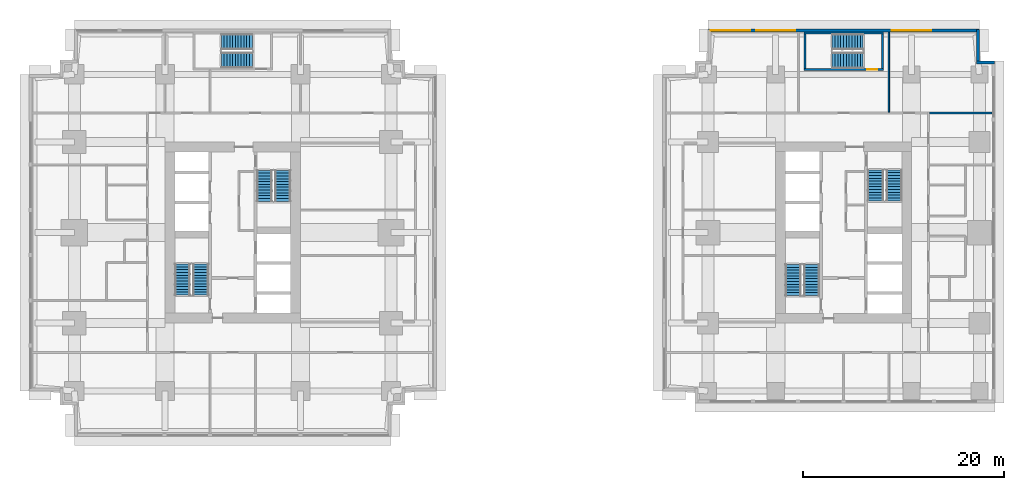
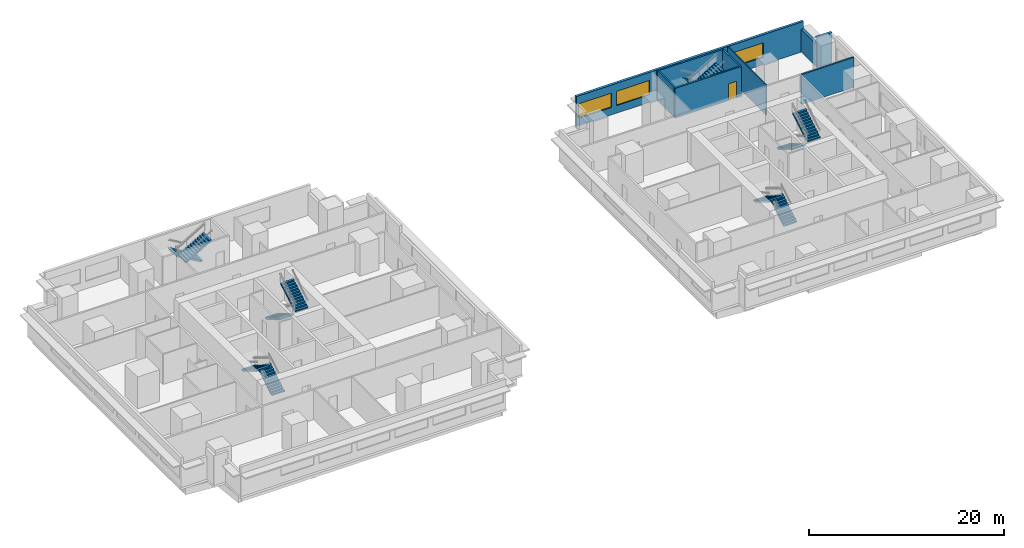
# One storey, part 8 of 11: 12 stair flights, 9 walls, 3 windows, 1 door, 4 openings, 6 elements without a shape of their own.
"""IFC4 building model written with IfcOpenShell, lengths in metres."""

import ifcopenshell
import ifcopenshell.guid

model = None  # the IFC model being written
_history = None  # IfcOwnerHistory: only IFC2X3 demands one
_inside = {}  # id of a spatial element -> (the spatial element, [elements in it])
_under = {}  # id of a project, library or spatial element -> (it, [spatial elements below it])
_declared = {}  # id of a project -> (the project, [libraries it declares])
_typed = {}  # id of a type object -> (the type object, [elements of that type])
_made_of = {}  # id of a material, layer set ... -> (it, [elements and type objects made of it])


def new_model(schema):
    """Start an empty IFC model of exactly this schema.

    Asked for "IFC4X3", IfcOpenShell would pick the latest addendum, in which some entities
    have other attributes; the version numbers below select the first issue.
    IFC2X3 requires an IfcOwnerHistory on every rooted entity: one is made here for all.
    """
    global model, _history
    if schema == "IFC4X3":
        model = ifcopenshell.file(schema_version=(4, 3, 0, 0))
    else:
        model = ifcopenshell.file(schema=schema)
    _inside.clear()
    _under.clear()
    _declared.clear()
    _typed.clear()
    _made_of.clear()
    _history = None
    if model.schema == "IFC2X3":
        org = make("IfcOrganization", Name="unknown")
        user = make(
            "IfcPersonAndOrganization",
            ThePerson=make("IfcPerson", FamilyName="unknown"),
            TheOrganization=org,
        )
        app = make(
            "IfcApplication",
            ApplicationDeveloper=org,
            Version="unknown",
            ApplicationFullName="unknown",
            ApplicationIdentifier="unknown",
        )
        _history = make(
            "IfcOwnerHistory",
            OwningUser=user,
            OwningApplication=app,
            ChangeAction="ADDED",
            CreationDate=0,
        )
    return model


def make(cls, **values):
    """One entity of the class cls with the attributes given. An attribute that is None is left unset."""
    return model.create_entity(
        cls, **{name: value for name, value in values.items() if value is not None}
    )


def rooted(cls, **values):
    """An entity with a GlobalId (a new one), such as an element, a storey or a relation."""
    return make(cls, GlobalId=ifcopenshell.guid.new(), OwnerHistory=_history, **values)


def si_unit(unit_type, name, prefix=None):
    """IfcSIUnit, for example si_unit("LENGTHUNIT", "METRE", prefix="MILLI")."""
    return make("IfcSIUnit", UnitType=unit_type, Prefix=prefix, Name=name)


def assignment(units):
    """IfcUnitAssignment: the units of a project."""
    return None if units is None else make("IfcUnitAssignment", Units=units)


def point(xyz):
    """IfcCartesianPoint."""
    return None if xyz is None else make("IfcCartesianPoint", Coordinates=xyz)


def direction(xyz):
    """IfcDirection."""
    return None if xyz is None else make("IfcDirection", DirectionRatios=xyz)


def frame(location, z_axis=None, x_axis=None):
    """IfcAxis2Placement3D, a coordinate frame: its origin and axes. An axis left out is left unset."""
    return make(
        "IfcAxis2Placement3D",
        Location=point(location),
        Axis=direction(z_axis),
        RefDirection=direction(x_axis),
    )


def frame_2d(location, x_axis=None):
    """IfcAxis2Placement2D, a coordinate frame in the plane: its origin and x axis."""
    return make(
        "IfcAxis2Placement2D", Location=point(location), RefDirection=direction(x_axis)
    )


def origin():
    """The frame at (0, 0, 0) with its axes left unset."""
    return frame((0.0, 0.0, 0.0))


def place(relative_to, where):
    """IfcLocalPlacement: puts the frame where relative to a parent placement (None: the world)."""
    return make(
        "IfcLocalPlacement", PlacementRelTo=relative_to, RelativePlacement=where
    )


def context(
    kind, dimensions, precision=None, world=None, true_north=None, identifier=None
):
    """IfcGeometricRepresentationContext, for example the 3D "Model" context."""
    return make(
        "IfcGeometricRepresentationContext",
        ContextIdentifier=identifier,
        ContextType=kind,
        CoordinateSpaceDimension=dimensions,
        Precision=precision,
        WorldCoordinateSystem=world,
        TrueNorth=true_north,
    )


def subcontext(parent, identifier, kind, view, scale=None):
    """IfcGeometricRepresentationSubContext, for example "Body" below "Model"."""
    return make(
        "IfcGeometricRepresentationSubContext",
        ContextIdentifier=identifier,
        ContextType=kind,
        ParentContext=parent,
        TargetScale=scale,
        TargetView=view,
    )


def project(units=None, contexts=None):
    """IfcProject with its units and contexts."""
    return rooted(
        "IfcProject",
        Name="project",
        RepresentationContexts=contexts,
        UnitsInContext=assignment(units),
    )


def spatial(cls, under=None, at=None, **own):
    """A site, building, storey or space (cls), placed at a placement, below another one or the project."""
    s = rooted(cls, ObjectPlacement=at, **own)
    if under is not None:
        _under.setdefault(under.id(), (under, []))[1].append(s)
    return s


def polyline(points):
    """IfcPolyline through the points."""
    return make("IfcPolyline", Points=[point(p) for p in points])


def profile(cls, at=None, kind="AREA", **sizes):
    """A parametric profile (cls). Its sizes go by their IFC names, for example OverallWidth=200.0."""
    return make(cls, ProfileType=kind, Position=at, **sizes)


def rectangle(**sizes):
    """IfcRectangleProfileDef."""
    return profile("IfcRectangleProfileDef", **sizes)


def outline(outer, holes=None, kind="AREA"):
    """IfcArbitraryClosedProfileDef: a profile drawn as a closed curve; with holes, ...WithVoids."""
    if holes is None:
        return make("IfcArbitraryClosedProfileDef", ProfileType=kind, OuterCurve=outer)
    return make(
        "IfcArbitraryProfileDefWithVoids",
        ProfileType=kind,
        OuterCurve=outer,
        InnerCurves=holes,
    )


def extrude(swept, where, along, depth):
    """IfcExtrudedAreaSolid: the profile swept, set in the frame where, extruded along a direction by depth."""
    return make(
        "IfcExtrudedAreaSolid",
        SweptArea=swept,
        Position=where,
        ExtrudedDirection=direction(along),
        Depth=depth,
    )


def shape(context_of_items, identifier, shape_type, items):
    """IfcShapeRepresentation: the items that make up one representation, for example the "Body"."""
    return make(
        "IfcShapeRepresentation",
        ContextOfItems=context_of_items,
        RepresentationIdentifier=identifier,
        RepresentationType=shape_type,
        Items=items,
    )


def material(Name=None, Category=None):
    """IfcMaterial."""
    return make("IfcMaterial", Name=Name, Category=Category)


def layer(
    of_material, thickness, ventilated=None, Name=None, Category=None, Priority=None
):
    """IfcMaterialLayer: one layer of a wall or slab, of a material (None: an air gap)."""
    return make(
        "IfcMaterialLayer",
        Material=of_material,
        LayerThickness=thickness,
        IsVentilated=ventilated,
        Name=Name,
        Category=Category,
        Priority=Priority,
    )


def layer_set(layers, Name=None):
    """IfcMaterialLayerSet."""
    return make("IfcMaterialLayerSet", MaterialLayers=layers, LayerSetName=Name)


def made_of(thing, what):
    """Note that an element or type object is made of a material, layer set ...; save() writes the relation."""
    if what is not None:
        _made_of.setdefault(what.id(), (what, []))[1].append(thing)
    return thing


def type_object(cls, material=None, **own):
    """A type object (cls), such as IfcWallType, which elements share."""
    return made_of(rooted(cls, **own), material)


def element(
    cls,
    number,
    at=None,
    inside=None,
    cuts=None,
    type_object=None,
    material=None,
    context=None,
    identifier="Body",
    shape_type=None,
    held_by="IfcProductDefinitionShape",
    body=None,
    shapes=None,
    **own,
):
    """One element of the class cls, such as IfcWall. Its Tag is "e" and its number.

    at: its placement. inside: the storey or other place that contains it. cuts: it is an
    opening in that element (IfcRelVoidsElement). A single representation is given by context,
    identifier, shape_type and body (its items); several are given by shapes. held_by: the class
    of the entity that holds the representations. save() writes the other relations.
    """
    e = rooted(cls, Tag="e%d" % number, ObjectPlacement=at, **own)
    if body is not None:
        shapes = [shape(context, identifier, shape_type, body)]
    if shapes is not None:
        e.Representation = make(held_by, Representations=shapes)
    if inside is not None:
        _inside.setdefault(inside.id(), (inside, []))[1].append(e)
    if cuts is not None:
        rooted(
            "IfcRelVoidsElement", RelatingBuildingElement=cuts, RelatedOpeningElement=e
        )
    if type_object is not None:
        _typed.setdefault(type_object.id(), (type_object, []))[1].append(e)
    return made_of(e, material)


def fill(opening, filler):
    """IfcRelFillsElement: the door or window that sits in an opening."""
    return rooted(
        "IfcRelFillsElement",
        RelatingOpeningElement=opening,
        RelatedBuildingElement=filler,
    )


def aggregate(whole, parts):
    """IfcRelAggregates: a whole, such as a stair, and the parts it consists of."""
    return rooted("IfcRelAggregates", RelatingObject=whole, RelatedObjects=parts)


def save(model, path):
    """Write the relations noted so far, then the file.

    IfcRelAggregates (storeys below a building ...), IfcRelContainedInSpatialStructure (elements
    in a storey), IfcRelDefinesByType, IfcRelAssociatesMaterial and IfcRelDeclares: one each for
    every whole, place, type object, material and project.
    """
    for whole, parts in _under.values():
        aggregate(whole, parts)
    for where, things in _inside.values():
        rooted(
            "IfcRelContainedInSpatialStructure",
            RelatedElements=things,
            RelatingStructure=where,
        )
    for kind, things in _typed.values():
        rooted("IfcRelDefinesByType", RelatedObjects=things, RelatingType=kind)
    for what, things in _made_of.values():
        rooted("IfcRelAssociatesMaterial", RelatedObjects=things, RelatingMaterial=what)
    for by, libraries in _declared.values():
        rooted("IfcRelDeclares", RelatingContext=by, RelatedDefinitions=libraries)
    model.write(path)


model = new_model("IFC4")

# Units and contexts
model_context = context("Model", 3, precision=1e-05, world=origin(), true_north=direction((0.0, 1.0)))
body_context = subcontext(model_context, "Body", "Model", "MODEL_VIEW")
ifc_project = project(units=[si_unit("LENGTHUNIT", "METRE"), si_unit("AREAUNIT", "SQUARE_METRE"), si_unit("VOLUMEUNIT", "CUBIC_METRE"), si_unit("PLANEANGLEUNIT", "RADIAN"), si_unit("MASSUNIT", "GRAM", prefix="KILO")], contexts=[model_context])

# Site, building, storey
site_placement = place(None, origin())
site = spatial("IfcSite", under=ifc_project, at=site_placement, CompositionType="ELEMENT")
building_placement = place(site_placement, origin())
building = spatial("IfcBuilding", under=site, at=building_placement, Name="Namib Vertical Campus", CompositionType="ELEMENT")
storey_placement = place(building_placement, frame((0.0, 0.0, 101.0)))
storey = spatial("IfcBuildingStorey", under=building, at=storey_placement, Name="L23", CompositionType="ELEMENT", Elevation=101.0)

# Walls
ifc_material_1 = material(Name="Concrete masonry", Category="masonry")
ifc_layer_1 = layer(ifc_material_1, 0.199951171875)
ifc_layer_set_1 = layer_set([ifc_layer_1], Name="Corridor wall 200")
wall_type_1 = type_object("IfcWallType", Name="Corridor wall 200", PredefinedType="SOLIDWALL", material=ifc_layer_set_1)
wall_1_placement = place(storey_placement, frame((89.550048828125, 32.14990234375, 0.0), z_axis=(0.0, 0.0, 1.0), x_axis=(1.0, 0.0, 0.0)))
element("IfcWall", 1, at=wall_1_placement, inside=storey, type_object=wall_type_1, Name="Partition B L23 BNE", PredefinedType="SOLIDWALL", context=body_context, shape_type="SweptSolid", body=[
    extrude(rectangle(XDim=6.199951171875, YDim=0.199951171875, at=frame_2d((3.10009765625, 0.0))), origin(), (0.0, 0.0, 1.0), 3.75),
])
ifc_material_2 = material(Name="Concrete C40/50", Category="concrete")
ifc_layer_2 = layer(ifc_material_2, 0.300048828125)
ifc_layer_set_2 = layer_set([ifc_layer_2], Name="Concrete C40/50")
wall_type_2 = type_object("IfcWallType", Name="External wall 300 board-marked concrete", PredefinedType="STANDARD", material=ifc_layer_set_2)
wall_2_placement = place(storey_placement, frame((96.030029296875, 37.14990234375, 0.0), z_axis=(0.0, 0.0, 1.0), x_axis=(-1.0, 0.0, 0.0)))
element("IfcWall", 2, at=wall_2_placement, inside=storey, type_object=wall_type_2, Name="External wall L23 F05", PredefinedType="STANDARD", context=body_context, shape_type="SweptSolid", body=[
    extrude(rectangle(XDim=1.81005859375, YDim=0.300048828125, at=frame_2d((0.905029296875, 0.0))), origin(), (0.0, 0.0, 1.0), 3.75),
])
wall_3_placement = place(storey_placement, frame((94.35009765625, 37.02001953125, 0.0), z_axis=(0.0, 0.0, 1.0), x_axis=(0.0, 1.0, 0.0)))
element("IfcWall", 3, at=wall_3_placement, inside=storey, type_object=wall_type_2, Name="External wall L23 F06", PredefinedType="STANDARD", context=body_context, shape_type="SweptSolid", body=[
    extrude(rectangle(XDim=3.4599609375, YDim=0.300048828125, at=frame_2d((1.72998046875, 0.0))), origin(), (0.0, 0.0, 1.0), 2.85009765625),
])

# Wall, openings, windows
wall_4_placement = place(storey_placement, frame((94.47998046875, 40.35009765625, 0.0), z_axis=(0.0, 0.0, 1.0), x_axis=(-1.0, 0.0, 0.0)))
wall_4 = element("IfcWall", 4, at=wall_4_placement, inside=storey, type_object=wall_type_2, Name="External wall L23 F07", PredefinedType="STANDARD", context=body_context, shape_type="SweptSolid", body=[
    extrude(rectangle(XDim=26.9599609375, YDim=0.300048828125, at=frame_2d((13.47998046875, 0.0))), origin(), (0.0, 0.0, 1.0), 3.75),
])
opening_1_placement = place(wall_4_placement, frame((22.780029296875, 0.0, 0.949951171875)))
opening_1 = element("IfcOpeningElement", 5, at=opening_1_placement, cuts=wall_4, Name="Opening W3", PredefinedType="OPENING", context=body_context, shape_type="SweptSolid", body=[
    extrude(rectangle(XDim=3.89990234375, YDim=1.800048828125, at=frame_2d((1.949951171875, 0.89990234375))), frame((0.0, 0.159912109375, 0.0), z_axis=(0.0, -1.0, 0.0), x_axis=(1.0, 0.0, 0.0)), (0.0, 0.0, 1.0), 0.320068359375),
])
opening_2_placement = place(wall_4_placement, frame((18.280029296875, 0.0, 0.949951171875)))
opening_2 = element("IfcOpeningElement", 6, at=opening_2_placement, cuts=wall_4, Name="Opening W3", PredefinedType="OPENING", context=body_context, shape_type="SweptSolid", body=[
    extrude(rectangle(XDim=3.89990234375, YDim=1.800048828125, at=frame_2d((1.949951171875, 0.89990234375))), frame((0.0, 0.159912109375, 0.0), z_axis=(0.0, -1.0, 0.0), x_axis=(1.0, 0.0, 0.0)), (0.0, 0.0, 1.0), 0.320068359375),
])
opening_3_placement = place(wall_4_placement, frame((4.780029296875, 0.0, 0.949951171875)))
opening_3 = element("IfcOpeningElement", 7, at=opening_3_placement, cuts=wall_4, Name="Opening W3", PredefinedType="OPENING", context=body_context, shape_type="SweptSolid", body=[
    extrude(rectangle(XDim=3.89990234375, YDim=1.800048828125, at=frame_2d((1.949951171875, 0.89990234375))), frame((0.0, 0.159912109375, 0.0), z_axis=(0.0, -1.0, 0.0), x_axis=(1.0, 0.0, 0.0)), (0.0, 0.0, 1.0), 0.320068359375),
])
ifc_material_3 = material(Name="Dark tinted glass in black aluminium frame", Category="aluminium")
window_type = type_object("IfcWindowType", Name="Ribbon window 3900x1800", PartitioningType="SINGLE_PANEL", PredefinedType="WINDOW", material=ifc_material_3)
window_1_placement = place(opening_1_placement, origin())
window_1 = element("IfcWindow", 8, at=window_1_placement, inside=storey, type_object=window_type, Name="Window W3 L23 F07-1", OverallHeight=1.800048828125, OverallWidth=3.89990234375, PartitioningType="SINGLE_PANEL", PredefinedType="WINDOW", context=body_context, shape_type="SweptSolid", body=[
    extrude(rectangle(XDim=3.89990234375, YDim=1.800048828125, at=frame_2d((1.949951171875, 0.89990234375))), frame((0.0, 0.030029296875, 0.0), z_axis=(0.0, -1.0, 0.0), x_axis=(1.0, 0.0, 0.0)), (0.0, 0.0, 1.0), 0.06005859375),
])
fill(opening_1, window_1)
window_2_placement = place(opening_2_placement, origin())
window_2 = element("IfcWindow", 9, at=window_2_placement, inside=storey, type_object=window_type, Name="Window W3 L23 F07-2", OverallHeight=1.800048828125, OverallWidth=3.89990234375, PartitioningType="SINGLE_PANEL", PredefinedType="WINDOW", context=body_context, shape_type="SweptSolid", body=[
    extrude(rectangle(XDim=3.89990234375, YDim=1.800048828125, at=frame_2d((1.949951171875, 0.89990234375))), frame((0.0, 0.030029296875, 0.0), z_axis=(0.0, -1.0, 0.0), x_axis=(1.0, 0.0, 0.0)), (0.0, 0.0, 1.0), 0.06005859375),
])
fill(opening_2, window_2)
window_3_placement = place(opening_3_placement, origin())
window_3 = element("IfcWindow", 10, at=window_3_placement, inside=storey, type_object=window_type, Name="Window W3 L23 F07-5", OverallHeight=1.800048828125, OverallWidth=3.89990234375, PartitioningType="SINGLE_PANEL", PredefinedType="WINDOW", context=body_context, shape_type="SweptSolid", body=[
    extrude(rectangle(XDim=3.89990234375, YDim=1.800048828125, at=frame_2d((1.949951171875, 0.89990234375))), frame((0.0, 0.030029296875, 0.0), z_axis=(0.0, -1.0, 0.0), x_axis=(1.0, 0.0, 0.0)), (0.0, 0.0, 1.0), 0.06005859375),
])
fill(opening_3, window_3)

# Wall
ifc_material_4 = material(Name="Gypsum board on steel studs", Category="steel")
ifc_layer_3 = layer(ifc_material_4, 0.14990234375)
ifc_layer_set_3 = layer_set([ifc_layer_3], Name="Gypsum board on steel studs")
wall_type_3 = type_object("IfcWallType", Name="Partition 150", PredefinedType="PARTITIONING", material=ifc_layer_set_3)
wall_5_placement = place(storey_placement, frame((85.5, 32.25, 0.0), z_axis=(0.0, 0.0, 1.0), x_axis=(0.0, 1.0, 0.0)))
element("IfcWall", 11, at=wall_5_placement, inside=storey, type_object=wall_type_3, Name="Partition B L23 PN2", PredefinedType="PARTITIONING", context=body_context, shape_type="SweptSolid", body=[
    extrude(rectangle(XDim=7.949951171875, YDim=0.14990234375, at=frame_2d((3.97509765625, 0.0))), origin(), (0.0, 0.0, 1.0), 3.75),
])

# Wall, opening, door
ifc_material_5 = material(Name="Concrete C40/50", Category="concrete")
ifc_layer_4 = layer(ifc_material_5, 0.199951171875)
ifc_layer_set_4 = layer_set([ifc_layer_4], Name="Concrete C40/50")
wall_type_4 = type_object("IfcWallType", Name="Stair enclosure wall RC 200", PredefinedType="SOLIDWALL", material=ifc_layer_set_4)
wall_6_placement = place(storey_placement, frame((77.050048828125, 36.5, 0.0), z_axis=(0.0, 0.0, 1.0), x_axis=(1.0, 0.0, 0.0)))
wall_6 = element("IfcWall", 12, at=wall_6_placement, inside=storey, type_object=wall_type_4, Name="Stair enclosure wall B-S3 L23 S", PredefinedType="SOLIDWALL", context=body_context, shape_type="SweptSolid", body=[
    extrude(rectangle(XDim=7.89990234375, YDim=0.199951171875, at=frame_2d((3.949951171875, 0.0))), origin(), (0.0, 0.0, 1.0), 3.75),
])
opening_4_placement = place(wall_6_placement, frame((6.300048828125, 0.0, 0.0)))
opening_4 = element("IfcOpeningElement", 13, at=opening_4_placement, cuts=wall_6, Name="Opening FD1", PredefinedType="OPENING", context=body_context, shape_type="SweptSolid", body=[
    extrude(rectangle(XDim=1.0, YDim=2.10009765625, at=frame_2d((0.5, 1.050048828125))), frame((0.0, 0.10986328125, 0.0), z_axis=(0.0, -1.0, 0.0), x_axis=(1.0, 0.0, 0.0)), (0.0, 0.0, 1.0), 0.219970703125),
])
ifc_material_6 = material(Name="Steel fire door", Category="steel")
door_type = type_object("IfcDoorType", Name="Fire door 1000x2100", OperationType="SINGLE_SWING_RIGHT", PredefinedType="DOOR", material=ifc_material_6)
door_placement = place(opening_4_placement, origin())
door = element("IfcDoor", 14, at=door_placement, inside=storey, type_object=door_type, Name="Stair door FD1 B L23 S3", OperationType="SINGLE_SWING_RIGHT", OverallHeight=2.10009765625, OverallWidth=1.0, PredefinedType="DOOR", context=body_context, shape_type="SweptSolid", body=[
    extrude(rectangle(XDim=1.0, YDim=2.10009765625, at=frame_2d((0.5, 1.050048828125))), frame((0.0, 0.02490234375, 0.0), z_axis=(0.0, -1.0, 0.0), x_axis=(1.0, 0.0, 0.0)), (0.0, 0.0, 1.0), 0.050048828125),
])
fill(opening_4, door)

# Walls
wall_7_placement = place(storey_placement, frame((77.050048828125, 40.10009765625, 0.0), z_axis=(0.0, 0.0, 1.0), x_axis=(1.0, 0.0, 0.0)))
element("IfcWall", 15, at=wall_7_placement, inside=storey, type_object=wall_type_4, Name="Stair enclosure wall B-S3 L23 N", PredefinedType="SOLIDWALL", context=body_context, shape_type="SweptSolid", body=[
    extrude(rectangle(XDim=7.89990234375, YDim=0.199951171875, at=frame_2d((3.949951171875, 0.0))), origin(), (0.0, 0.0, 1.0), 3.75),
])
for number, where, z_axis, x_axis, name in (
    (16, (77.14990234375, 36.60009765625, 0.0), (0.0, 0.0, 1.0), (0.0, 1.0, 0.0), "Stair enclosure wall B-S3 L23 W"),
    (17, (84.85009765625, 36.60009765625, 0.0), (0.0, 0.0, 1.0), (0.0, 1.0, 0.0), "Stair enclosure wall B-S3 L23 E"),
):
    element("IfcWall", number, at=place(storey_placement, frame(where, z_axis=z_axis, x_axis=x_axis)), inside=storey, type_object=wall_type_4, Name=name, PredefinedType="SOLIDWALL", context=body_context, shape_type="SweptSolid", body=[
        extrude(rectangle(XDim=3.39990234375, YDim=0.199951171875, at=frame_2d((1.699951171875, 0.0))), origin(), (0.0, 0.0, 1.0), 3.75),
    ])

# Stair, stair flights
ifc_material_7 = material(Name="Concrete C40/50 precast", Category="concrete")
stair_type_1 = type_object("IfcStairType", Name="Exit stair 4000 rise 24 risers 3350 wide", PredefinedType="HALF_TURN_STAIR", material=ifc_material_7)
stair_1_placement = place(storey_placement, origin())
stair_1 = element("IfcStair", 18, at=stair_1_placement, inside=storey, type_object=stair_type_1, Name="Exit stair A-S1 L23", PredefinedType="HALF_TURN_STAIR")
ifc_material_8 = material(Name="Concrete C40/50 precast", Category="concrete")
stair_flight_type_1 = type_object("IfcStairFlightType", Name="Stair flight 12 risers 167 1525 wide", PredefinedType="STRAIGHT", material=ifc_material_8)
stair_flight_1_placement = place(storey_placement, frame((17.08740234375, 14.050048828125, 0.0), z_axis=(0.0, 0.0, 1.0), x_axis=(0.0, 1.0, 0.0)))
stair_flight_1 = element("IfcStairFlight", 19, at=stair_flight_1_placement, type_object=stair_flight_type_1, Name="A-S1 flight 1", NumberOfRisers=12, NumberOfTreads=11, PredefinedType="STRAIGHT", RiserHeight=0.166666667, TreadLength=0.28, context=body_context, shape_type="SweptSolid", body=[
    extrude(outline(polyline([(0.0, 0.0), (0.0, 0.166748046875), (0.280029296875, 0.166748046875), (0.280029296875, 0.333251953125), (0.56005859375, 0.333251953125), (0.56005859375, 0.5), (0.840087890625, 0.5), (0.840087890625, 0.666748046875), (1.1201171875, 0.666748046875), (1.1201171875, 0.833251953125), (1.39990234375, 0.833251953125), (1.39990234375, 1.0), (1.679931640625, 1.0), (1.679931640625, 1.166748046875), (1.9599609375, 1.166748046875), (1.9599609375, 1.333251953125), (2.239990234375, 1.333251953125), (2.239990234375, 1.5), (2.52001953125, 1.5), (2.52001953125, 1.666748046875), (2.800048828125, 1.666748046875), (2.800048828125, 1.833251953125), (3.080078125, 1.833251953125), (3.080078125, 2.0), (3.080078125, 1.658935546875), (0.29296875, 0.0), (0.0, 0.0)])), frame((0.0, 0.762451171875, 0.0), z_axis=(0.0, -1.0, 0.0), x_axis=(1.0, 0.0, 0.0)), (0.0, 0.0, 1.0), 1.52490234375),
])
stair_flight_2_placement = place(storey_placement, frame((15.262451171875, 17.1298828125, 2.0), z_axis=(0.0, 0.0, 1.0), x_axis=(0.0, -1.0, 0.0)))
stair_flight_2 = element("IfcStairFlight", 20, at=stair_flight_2_placement, type_object=stair_flight_type_1, Name="A-S1 flight 2", NumberOfRisers=12, NumberOfTreads=11, PredefinedType="STRAIGHT", RiserHeight=0.166666667, TreadLength=0.28, context=body_context, shape_type="SweptSolid", body=[
    extrude(outline(polyline([(0.0, 0.0), (0.0, 0.166748046875), (0.280029296875, 0.166748046875), (0.280029296875, 0.333251953125), (0.56005859375, 0.333251953125), (0.56005859375, 0.5), (0.840087890625, 0.5), (0.840087890625, 0.666748046875), (1.1201171875, 0.666748046875), (1.1201171875, 0.833251953125), (1.39990234375, 0.833251953125), (1.39990234375, 1.0), (1.679931640625, 1.0), (1.679931640625, 1.166748046875), (1.9599609375, 1.166748046875), (1.9599609375, 1.333251953125), (2.239990234375, 1.333251953125), (2.239990234375, 1.5), (2.52001953125, 1.5), (2.52001953125, 1.666748046875), (2.800048828125, 1.666748046875), (2.800048828125, 1.833251953125), (3.080078125, 1.833251953125), (3.080078125, 2.0), (3.080078125, 1.658935546875), (0.29296875, 0.0), (0.0, 0.0)])), frame((0.0, 0.762451171875, 0.0), z_axis=(0.0, -1.0, 0.0), x_axis=(1.0, 0.0, 0.0)), (0.0, 0.0, 1.0), 1.52490234375),
])
aggregate(stair_1, [stair_flight_1, stair_flight_2])

stair_2_placement = place(storey_placement, origin())
stair_2 = element("IfcStair", 21, at=stair_2_placement, inside=storey, type_object=stair_type_1, Name="Exit stair A-S2 L23", PredefinedType="HALF_TURN_STAIR")
stair_flight_3_placement = place(storey_placement, frame((23.41259765625, 26.449951171875, 0.0), z_axis=(0.0, 0.0, 1.0), x_axis=(0.0, -1.0, 0.0)))
stair_flight_3 = element("IfcStairFlight", 22, at=stair_flight_3_placement, type_object=stair_flight_type_1, Name="A-S2 flight 1", NumberOfRisers=12, NumberOfTreads=11, PredefinedType="STRAIGHT", RiserHeight=0.166666667, TreadLength=0.28, context=body_context, shape_type="SweptSolid", body=[
    extrude(outline(polyline([(0.0, 0.0), (0.0, 0.166748046875), (0.280029296875, 0.166748046875), (0.280029296875, 0.333251953125), (0.56005859375, 0.333251953125), (0.56005859375, 0.5), (0.840087890625, 0.5), (0.840087890625, 0.666748046875), (1.1201171875, 0.666748046875), (1.1201171875, 0.833251953125), (1.39990234375, 0.833251953125), (1.39990234375, 1.0), (1.679931640625, 1.0), (1.679931640625, 1.166748046875), (1.9599609375, 1.166748046875), (1.9599609375, 1.333251953125), (2.239990234375, 1.333251953125), (2.239990234375, 1.5), (2.52001953125, 1.5), (2.52001953125, 1.666748046875), (2.800048828125, 1.666748046875), (2.800048828125, 1.833251953125), (3.080078125, 1.833251953125), (3.080078125, 2.0), (3.080078125, 1.658935546875), (0.29296875, 0.0), (0.0, 0.0)])), frame((0.0, 0.762451171875, 0.0), z_axis=(0.0, -1.0, 0.0), x_axis=(1.0, 0.0, 0.0)), (0.0, 0.0, 1.0), 1.52490234375),
])
stair_flight_4_placement = place(storey_placement, frame((25.237548828125, 23.3701171875, 2.0), z_axis=(0.0, 0.0, 1.0), x_axis=(0.0, 1.0, 0.0)))
stair_flight_4 = element("IfcStairFlight", 23, at=stair_flight_4_placement, type_object=stair_flight_type_1, Name="A-S2 flight 2", NumberOfRisers=12, NumberOfTreads=11, PredefinedType="STRAIGHT", RiserHeight=0.166666667, TreadLength=0.28, context=body_context, shape_type="SweptSolid", body=[
    extrude(outline(polyline([(0.0, 0.0), (0.0, 0.166748046875), (0.280029296875, 0.166748046875), (0.280029296875, 0.333251953125), (0.56005859375, 0.333251953125), (0.56005859375, 0.5), (0.840087890625, 0.5), (0.840087890625, 0.666748046875), (1.1201171875, 0.666748046875), (1.1201171875, 0.833251953125), (1.39990234375, 0.833251953125), (1.39990234375, 1.0), (1.679931640625, 1.0), (1.679931640625, 1.166748046875), (1.9599609375, 1.166748046875), (1.9599609375, 1.333251953125), (2.239990234375, 1.333251953125), (2.239990234375, 1.5), (2.52001953125, 1.5), (2.52001953125, 1.666748046875), (2.800048828125, 1.666748046875), (2.800048828125, 1.833251953125), (3.080078125, 1.833251953125), (3.080078125, 2.0), (3.080078125, 1.658935546875), (0.29296875, 0.0), (0.0, 0.0)])), frame((0.0, 0.762451171875, 0.0), z_axis=(0.0, -1.0, 0.0), x_axis=(1.0, 0.0, 0.0)), (0.0, 0.0, 1.0), 1.52490234375),
])
aggregate(stair_2, [stair_flight_3, stair_flight_4])

stair_3_placement = place(storey_placement, origin())
stair_3 = element("IfcStair", 24, at=stair_3_placement, inside=storey, type_object=stair_type_1, Name="Exit stair A-S3 L23", PredefinedType="HALF_TURN_STAIR")
stair_flight_5_placement = place(storey_placement, frame((22.199951171875, 39.237548828125, 0.0), z_axis=(0.0, 0.0, 1.0), x_axis=(-1.0, 0.0, 0.0)))
stair_flight_5 = element("IfcStairFlight", 25, at=stair_flight_5_placement, type_object=stair_flight_type_1, Name="A-S3 flight 1", NumberOfRisers=12, NumberOfTreads=11, PredefinedType="STRAIGHT", RiserHeight=0.166666667, TreadLength=0.28, context=body_context, shape_type="SweptSolid", body=[
    extrude(outline(polyline([(0.0, 0.0), (0.0, 0.166748046875), (0.280029296875, 0.166748046875), (0.280029296875, 0.333251953125), (0.56005859375, 0.333251953125), (0.56005859375, 0.5), (0.840087890625, 0.5), (0.840087890625, 0.666748046875), (1.1201171875, 0.666748046875), (1.1201171875, 0.833251953125), (1.39990234375, 0.833251953125), (1.39990234375, 1.0), (1.679931640625, 1.0), (1.679931640625, 1.166748046875), (1.9599609375, 1.166748046875), (1.9599609375, 1.333251953125), (2.239990234375, 1.333251953125), (2.239990234375, 1.5), (2.52001953125, 1.5), (2.52001953125, 1.666748046875), (2.800048828125, 1.666748046875), (2.800048828125, 1.833251953125), (3.080078125, 1.833251953125), (3.080078125, 2.0), (3.080078125, 1.658935546875), (0.29296875, 0.0), (0.0, 0.0)])), frame((0.0, 0.762451171875, 0.0), z_axis=(0.0, -1.0, 0.0), x_axis=(1.0, 0.0, 0.0)), (0.0, 0.0, 1.0), 1.52490234375),
])
stair_flight_6_placement = place(storey_placement, frame((19.1201171875, 37.41259765625, 2.0), z_axis=(0.0, 0.0, 1.0), x_axis=(1.0, 0.0, 0.0)))
stair_flight_6 = element("IfcStairFlight", 26, at=stair_flight_6_placement, type_object=stair_flight_type_1, Name="A-S3 flight 2", NumberOfRisers=12, NumberOfTreads=11, PredefinedType="STRAIGHT", RiserHeight=0.166666667, TreadLength=0.28, context=body_context, shape_type="SweptSolid", body=[
    extrude(outline(polyline([(0.0, 0.0), (0.0, 0.166748046875), (0.280029296875, 0.166748046875), (0.280029296875, 0.333251953125), (0.56005859375, 0.333251953125), (0.56005859375, 0.5), (0.840087890625, 0.5), (0.840087890625, 0.666748046875), (1.1201171875, 0.666748046875), (1.1201171875, 0.833251953125), (1.39990234375, 0.833251953125), (1.39990234375, 1.0), (1.679931640625, 1.0), (1.679931640625, 1.166748046875), (1.9599609375, 1.166748046875), (1.9599609375, 1.333251953125), (2.239990234375, 1.333251953125), (2.239990234375, 1.5), (2.52001953125, 1.5), (2.52001953125, 1.666748046875), (2.800048828125, 1.666748046875), (2.800048828125, 1.833251953125), (3.080078125, 1.833251953125), (3.080078125, 2.0), (3.080078125, 1.658935546875), (0.29296875, 0.0), (0.0, 0.0)])), frame((0.0, 0.762451171875, 0.0), z_axis=(0.0, -1.0, 0.0), x_axis=(1.0, 0.0, 0.0)), (0.0, 0.0, 1.0), 1.52490234375),
])
aggregate(stair_3, [stair_flight_5, stair_flight_6])

ifc_material_9 = material(Name="Concrete C40/50 precast", Category="concrete")
stair_type_2 = type_object("IfcStairType", Name="Exit stair 4000 rise 24 risers 3400 wide", PredefinedType="HALF_TURN_STAIR", material=ifc_material_9)
stair_4_placement = place(storey_placement, origin())
stair_4 = element("IfcStair", 27, at=stair_4_placement, inside=storey, type_object=stair_type_2, Name="Exit stair B-S1 L23", PredefinedType="HALF_TURN_STAIR")
ifc_material_10 = material(Name="Concrete C40/50 precast", Category="concrete")
stair_flight_type_2 = type_object("IfcStairFlightType", Name="Stair flight 12 risers 167 1550 wide", PredefinedType="STRAIGHT", material=ifc_material_10)
stair_flight_7_placement = place(storey_placement, frame((77.824951171875, 14.0, 0.0), z_axis=(0.0, 0.0, 1.0), x_axis=(0.0, 1.0, 0.0)))
stair_flight_7 = element("IfcStairFlight", 28, at=stair_flight_7_placement, type_object=stair_flight_type_2, Name="B-S1 flight 1", NumberOfRisers=12, NumberOfTreads=11, PredefinedType="STRAIGHT", RiserHeight=0.166666667, TreadLength=0.28, context=body_context, shape_type="SweptSolid", body=[
    extrude(outline(polyline([(0.0, 0.0), (0.0, 0.166748046875), (0.280029296875, 0.166748046875), (0.280029296875, 0.333251953125), (0.56005859375, 0.333251953125), (0.56005859375, 0.5), (0.840087890625, 0.5), (0.840087890625, 0.666748046875), (1.1201171875, 0.666748046875), (1.1201171875, 0.833251953125), (1.39990234375, 0.833251953125), (1.39990234375, 1.0), (1.679931640625, 1.0), (1.679931640625, 1.166748046875), (1.9599609375, 1.166748046875), (1.9599609375, 1.333251953125), (2.239990234375, 1.333251953125), (2.239990234375, 1.5), (2.52001953125, 1.5), (2.52001953125, 1.666748046875), (2.800048828125, 1.666748046875), (2.800048828125, 1.833251953125), (3.080078125, 1.833251953125), (3.080078125, 2.0), (3.080078125, 1.658935546875), (0.29296875, 0.0), (0.0, 0.0)])), frame((0.0, 0.77490234375, 0.0), z_axis=(0.0, -1.0, 0.0), x_axis=(1.0, 0.0, 0.0)), (0.0, 0.0, 1.0), 1.550048828125),
])
stair_flight_8_placement = place(storey_placement, frame((75.97509765625, 17.080078125, 2.0), z_axis=(0.0, 0.0, 1.0), x_axis=(0.0, -1.0, 0.0)))
stair_flight_8 = element("IfcStairFlight", 29, at=stair_flight_8_placement, type_object=stair_flight_type_2, Name="B-S1 flight 2", NumberOfRisers=12, NumberOfTreads=11, PredefinedType="STRAIGHT", RiserHeight=0.166666667, TreadLength=0.28, context=body_context, shape_type="SweptSolid", body=[
    extrude(outline(polyline([(0.0, 0.0), (0.0, 0.166748046875), (0.280029296875, 0.166748046875), (0.280029296875, 0.333251953125), (0.56005859375, 0.333251953125), (0.56005859375, 0.5), (0.840087890625, 0.5), (0.840087890625, 0.666748046875), (1.1201171875, 0.666748046875), (1.1201171875, 0.833251953125), (1.39990234375, 0.833251953125), (1.39990234375, 1.0), (1.679931640625, 1.0), (1.679931640625, 1.166748046875), (1.9599609375, 1.166748046875), (1.9599609375, 1.333251953125), (2.239990234375, 1.333251953125), (2.239990234375, 1.5), (2.52001953125, 1.5), (2.52001953125, 1.666748046875), (2.800048828125, 1.666748046875), (2.800048828125, 1.833251953125), (3.080078125, 1.833251953125), (3.080078125, 2.0), (3.080078125, 1.658935546875), (0.29296875, 0.0), (0.0, 0.0)])), frame((0.0, 0.77490234375, 0.0), z_axis=(0.0, -1.0, 0.0), x_axis=(1.0, 0.0, 0.0)), (0.0, 0.0, 1.0), 1.550048828125),
])
aggregate(stair_4, [stair_flight_7, stair_flight_8])

stair_5_placement = place(storey_placement, origin())
stair_5 = element("IfcStair", 30, at=stair_5_placement, inside=storey, type_object=stair_type_2, Name="Exit stair B-S2 L23", PredefinedType="HALF_TURN_STAIR")
stair_flight_9_placement = place(storey_placement, frame((84.175048828125, 26.5, 0.0), z_axis=(0.0, 0.0, 1.0), x_axis=(0.0, -1.0, 0.0)))
stair_flight_9 = element("IfcStairFlight", 31, at=stair_flight_9_placement, type_object=stair_flight_type_2, Name="B-S2 flight 1", NumberOfRisers=12, NumberOfTreads=11, PredefinedType="STRAIGHT", RiserHeight=0.166666667, TreadLength=0.28, context=body_context, shape_type="SweptSolid", body=[
    extrude(outline(polyline([(0.0, 0.0), (0.0, 0.166748046875), (0.280029296875, 0.166748046875), (0.280029296875, 0.333251953125), (0.56005859375, 0.333251953125), (0.56005859375, 0.5), (0.840087890625, 0.5), (0.840087890625, 0.666748046875), (1.1201171875, 0.666748046875), (1.1201171875, 0.833251953125), (1.39990234375, 0.833251953125), (1.39990234375, 1.0), (1.679931640625, 1.0), (1.679931640625, 1.166748046875), (1.9599609375, 1.166748046875), (1.9599609375, 1.333251953125), (2.239990234375, 1.333251953125), (2.239990234375, 1.5), (2.52001953125, 1.5), (2.52001953125, 1.666748046875), (2.800048828125, 1.666748046875), (2.800048828125, 1.833251953125), (3.080078125, 1.833251953125), (3.080078125, 2.0), (3.080078125, 1.658935546875), (0.29296875, 0.0), (0.0, 0.0)])), frame((0.0, 0.77490234375, 0.0), z_axis=(0.0, -1.0, 0.0), x_axis=(1.0, 0.0, 0.0)), (0.0, 0.0, 1.0), 1.550048828125),
])
stair_flight_10_placement = place(storey_placement, frame((86.02490234375, 23.419921875, 2.0), z_axis=(0.0, 0.0, 1.0), x_axis=(0.0, 1.0, 0.0)))
stair_flight_10 = element("IfcStairFlight", 32, at=stair_flight_10_placement, type_object=stair_flight_type_2, Name="B-S2 flight 2", NumberOfRisers=12, NumberOfTreads=11, PredefinedType="STRAIGHT", RiserHeight=0.166666667, TreadLength=0.28, context=body_context, shape_type="SweptSolid", body=[
    extrude(outline(polyline([(0.0, 0.0), (0.0, 0.166748046875), (0.280029296875, 0.166748046875), (0.280029296875, 0.333251953125), (0.56005859375, 0.333251953125), (0.56005859375, 0.5), (0.840087890625, 0.5), (0.840087890625, 0.666748046875), (1.1201171875, 0.666748046875), (1.1201171875, 0.833251953125), (1.39990234375, 0.833251953125), (1.39990234375, 1.0), (1.679931640625, 1.0), (1.679931640625, 1.166748046875), (1.9599609375, 1.166748046875), (1.9599609375, 1.333251953125), (2.239990234375, 1.333251953125), (2.239990234375, 1.5), (2.52001953125, 1.5), (2.52001953125, 1.666748046875), (2.800048828125, 1.666748046875), (2.800048828125, 1.833251953125), (3.080078125, 1.833251953125), (3.080078125, 2.0), (3.080078125, 1.658935546875), (0.29296875, 0.0), (0.0, 0.0)])), frame((0.0, 0.77490234375, 0.0), z_axis=(0.0, -1.0, 0.0), x_axis=(1.0, 0.0, 0.0)), (0.0, 0.0, 1.0), 1.550048828125),
])
aggregate(stair_5, [stair_flight_9, stair_flight_10])

stair_6_placement = place(storey_placement, origin())
stair_6 = element("IfcStair", 33, at=stair_6_placement, inside=storey, type_object=stair_type_2, Name="Exit stair B-S3 L23", PredefinedType="HALF_TURN_STAIR")
stair_flight_11_placement = place(storey_placement, frame((82.949951171875, 39.22509765625, 0.0), z_axis=(0.0, 0.0, 1.0), x_axis=(-1.0, 0.0, 0.0)))
stair_flight_11 = element("IfcStairFlight", 34, at=stair_flight_11_placement, type_object=stair_flight_type_2, Name="B-S3 flight 1", NumberOfRisers=12, NumberOfTreads=11, PredefinedType="STRAIGHT", RiserHeight=0.166666667, TreadLength=0.28, context=body_context, shape_type="SweptSolid", body=[
    extrude(outline(polyline([(0.0, 0.0), (0.0, 0.166748046875), (0.280029296875, 0.166748046875), (0.280029296875, 0.333251953125), (0.56005859375, 0.333251953125), (0.56005859375, 0.5), (0.840087890625, 0.5), (0.840087890625, 0.666748046875), (1.1201171875, 0.666748046875), (1.1201171875, 0.833251953125), (1.39990234375, 0.833251953125), (1.39990234375, 1.0), (1.679931640625, 1.0), (1.679931640625, 1.166748046875), (1.9599609375, 1.166748046875), (1.9599609375, 1.333251953125), (2.239990234375, 1.333251953125), (2.239990234375, 1.5), (2.52001953125, 1.5), (2.52001953125, 1.666748046875), (2.800048828125, 1.666748046875), (2.800048828125, 1.833251953125), (3.080078125, 1.833251953125), (3.080078125, 2.0), (3.080078125, 1.658935546875), (0.29296875, 0.0), (0.0, 0.0)])), frame((0.0, 0.77490234375, 0.0), z_axis=(0.0, -1.0, 0.0), x_axis=(1.0, 0.0, 0.0)), (0.0, 0.0, 1.0), 1.550048828125),
])
stair_flight_12_placement = place(storey_placement, frame((79.8701171875, 37.375, 2.0), z_axis=(0.0, 0.0, 1.0), x_axis=(1.0, 0.0, 0.0)))
stair_flight_12 = element("IfcStairFlight", 35, at=stair_flight_12_placement, type_object=stair_flight_type_2, Name="B-S3 flight 2", NumberOfRisers=12, NumberOfTreads=11, PredefinedType="STRAIGHT", RiserHeight=0.166666667, TreadLength=0.28, context=body_context, shape_type="SweptSolid", body=[
    extrude(outline(polyline([(0.0, 0.0), (0.0, 0.166748046875), (0.280029296875, 0.166748046875), (0.280029296875, 0.333251953125), (0.56005859375, 0.333251953125), (0.56005859375, 0.5), (0.840087890625, 0.5), (0.840087890625, 0.666748046875), (1.1201171875, 0.666748046875), (1.1201171875, 0.833251953125), (1.39990234375, 0.833251953125), (1.39990234375, 1.0), (1.679931640625, 1.0), (1.679931640625, 1.166748046875), (1.9599609375, 1.166748046875), (1.9599609375, 1.333251953125), (2.239990234375, 1.333251953125), (2.239990234375, 1.5), (2.52001953125, 1.5), (2.52001953125, 1.666748046875), (2.800048828125, 1.666748046875), (2.800048828125, 1.833251953125), (3.080078125, 1.833251953125), (3.080078125, 2.0), (3.080078125, 1.658935546875), (0.29296875, 0.0), (0.0, 0.0)])), frame((0.0, 0.77490234375, 0.0), z_axis=(0.0, -1.0, 0.0), x_axis=(1.0, 0.0, 0.0)), (0.0, 0.0, 1.0), 1.550048828125),
])
aggregate(stair_6, [stair_flight_11, stair_flight_12])

save(model, "model.ifc")
